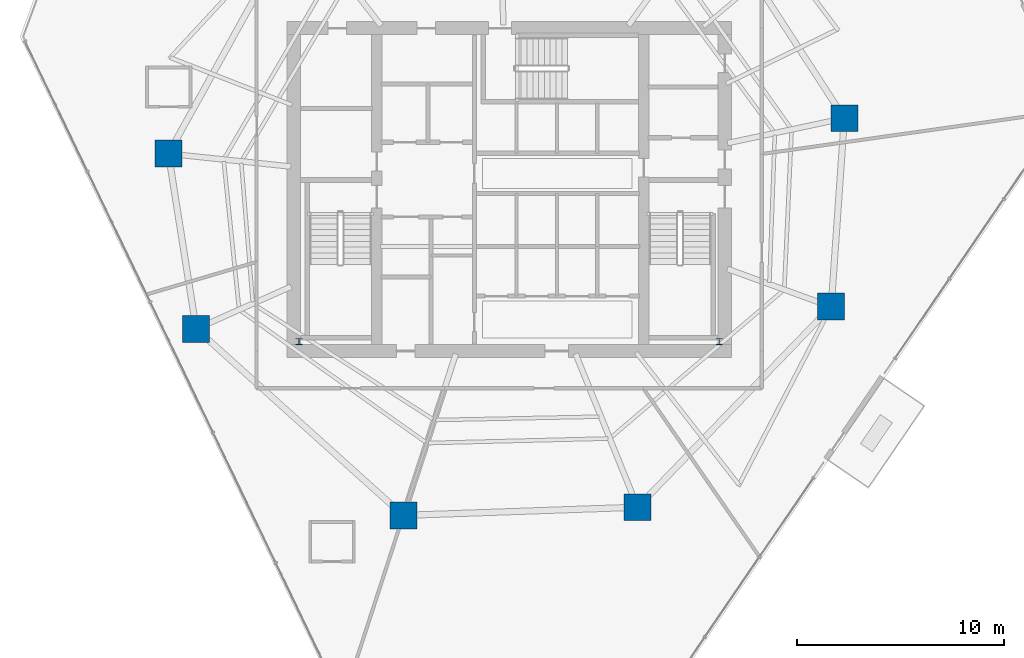
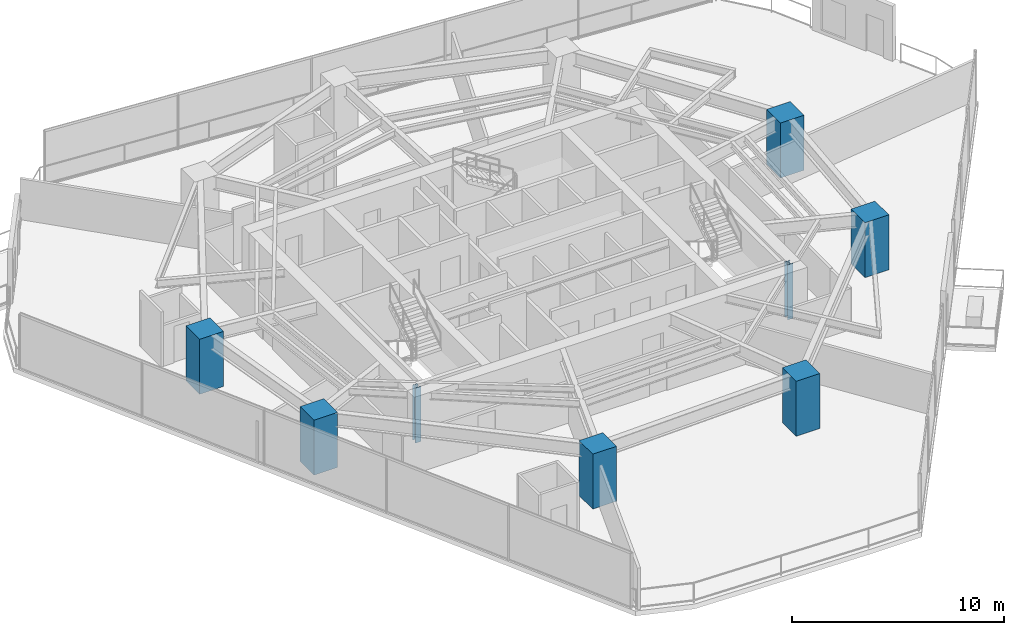
# One storey, part 1 of 30: 8 columns.
"""IFC4 building model written with IfcOpenShell, lengths in metres."""

from ifc_helpers import new_model, si_unit, direction, frame, origin, origin_2d, place, context, subcontext, project, spatial, rectangle, i_section, extrude, material, material_profile, profile_set, type_object, element, save


model = new_model("IFC4")

# Units and contexts
model_context = context("Model", 3, precision=1e-05, world=origin(), true_north=direction((0.0, 1.0)))
body_context = subcontext(model_context, "Body", "Model", "MODEL_VIEW")
ifc_project = project(units=[si_unit("LENGTHUNIT", "METRE"), si_unit("AREAUNIT", "SQUARE_METRE"), si_unit("VOLUMEUNIT", "CUBIC_METRE"), si_unit("PLANEANGLEUNIT", "RADIAN"), si_unit("MASSUNIT", "GRAM", prefix="KILO")], contexts=[model_context])

# Site, building, storey
site_placement = place(None, origin())
site = spatial("IfcSite", under=ifc_project, at=site_placement, CompositionType="ELEMENT")
building_placement = place(site_placement, origin())
building = spatial("IfcBuilding", under=site, at=building_placement, Name="Qarnah Convention Tower", CompositionType="ELEMENT")
storey_placement = place(building_placement, frame((0.0, 0.0, 51.14990234375)))
storey = spatial("IfcBuildingStorey", under=building, at=storey_placement, Name="L12", CompositionType="ELEMENT", Elevation=51.14990234375)

# Columns
ifc_material_1 = material(Name="Concrete C60/75", Category="concrete")
ifc_material_profile_1 = material_profile(ifc_material_1, rectangle(XDim=1.300048828125, YDim=1.300048828125, at=origin_2d()), Name="RC-COL-1300X1300")
ifc_profile_set_1 = profile_set([ifc_material_profile_1], Name="Concrete C60/75")
column_type_1 = type_object("IfcColumnType", Name="COL-Z1-1300", PredefinedType="COLUMN", material=ifc_profile_set_1)
for number, where, z_axis, x_axis, name in (
    (1, (53.387939453125, 29.841064453125, 0.0), (0.0, 0.0, 1.0), (1.0, 0.0, 0.0), "L12 plumb column PC-Z1-01"),
    (2, (20.740966796875, 28.1298828125, 0.0), (0.0, 0.0, 1.0), (1.0, 0.0, 0.0), "L12 plumb column PC-Z1-05"),
    (3, (22.0810546875, 19.6689453125, 0.0), (0.0, 0.0, 1.0), (1.0, 0.0, 0.0), "L12 plumb column PC-Z1-06"),
    (4, (32.0859375, 10.659912109375, 0.0), (0.0, 0.0, 1.0), (1.0, 0.0, 0.0), "L12 plumb column PC-Z1-07"),
    (5, (43.39990234375, 11.054931640625, 0.0), (0.0, 0.0, 1.0), (1.0, 0.0, 0.0), "L12 plumb column PC-Z1-08"),
    (6, (52.751953125, 20.739990234375, 0.0), (0.0, 0.0, 1.0), (1.0, 0.0, 0.0), "L12 plumb column PC-Z1-09"),
):
    element("IfcColumn", number, at=place(storey_placement, frame(where, z_axis=z_axis, x_axis=x_axis)), inside=storey, type_object=column_type_1, Name=name, PredefinedType="COLUMN", context=body_context, shape_type="SweptSolid", body=[
        extrude(rectangle(XDim=1.300048828125, YDim=1.300048828125, at=origin_2d()), origin(), (0.0, 0.0, 1.0), 3.170166015625),
    ])
ifc_material_2 = material(Name="Structural steel S355JR", Category="steel")
ifc_material_profile_2 = material_profile(ifc_material_2, i_section(OverallWidth=0.300048828125, OverallDepth=0.300048828125, WebThickness=0.010986328125, FlangeThickness=0.01904296875, at=origin_2d()), Name="HEB300")
ifc_profile_set_2 = profile_set([ifc_material_profile_2], Name="Structural steel S355JR")
column_type_2 = type_object("IfcColumnType", Name="PIL-SHF-300", PredefinedType="PILASTER", material=ifc_profile_set_2)
for number, where, z_axis, x_axis, name in (
    (7, (27.050048828125, 19.050048828125, 0.0), (0.0, 0.0, 1.0), (1.0, 0.0, 0.0), "L12 core spine steel pilaster 1"),
    (8, (47.35009765625, 19.050048828125, 0.0), (0.0, 0.0, 1.0), (1.0, 0.0, 0.0), "L12 core spine steel pilaster 2"),
):
    element("IfcColumn", number, at=place(storey_placement, frame(where, z_axis=z_axis, x_axis=x_axis)), inside=storey, type_object=column_type_2, Name=name, PredefinedType="PILASTER", context=body_context, shape_type="SweptSolid", body=[
        extrude(i_section(OverallWidth=0.300048828125, OverallDepth=0.300048828125, WebThickness=0.010986328125, FlangeThickness=0.01904296875, at=origin_2d()), origin(), (0.0, 0.0, 1.0), 3.170166015625),
    ])

save(model, "model.ifc")
